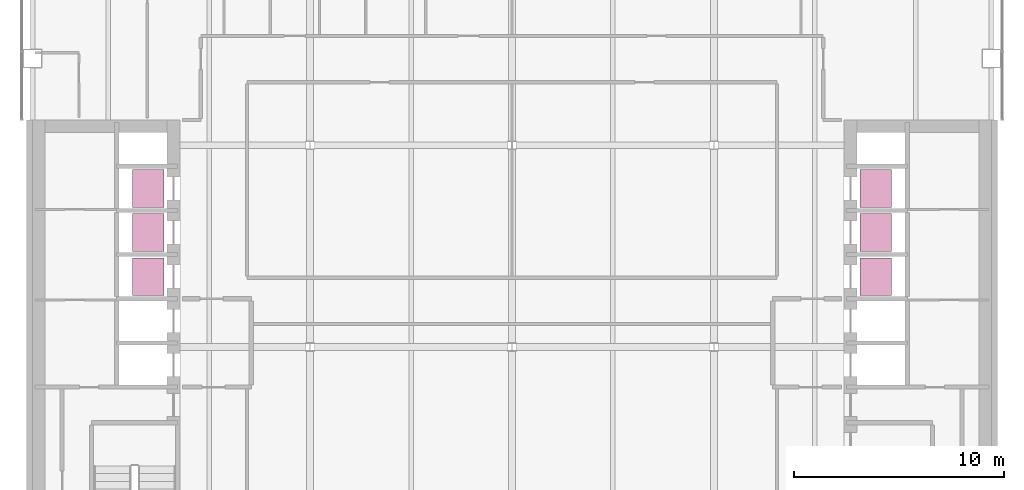
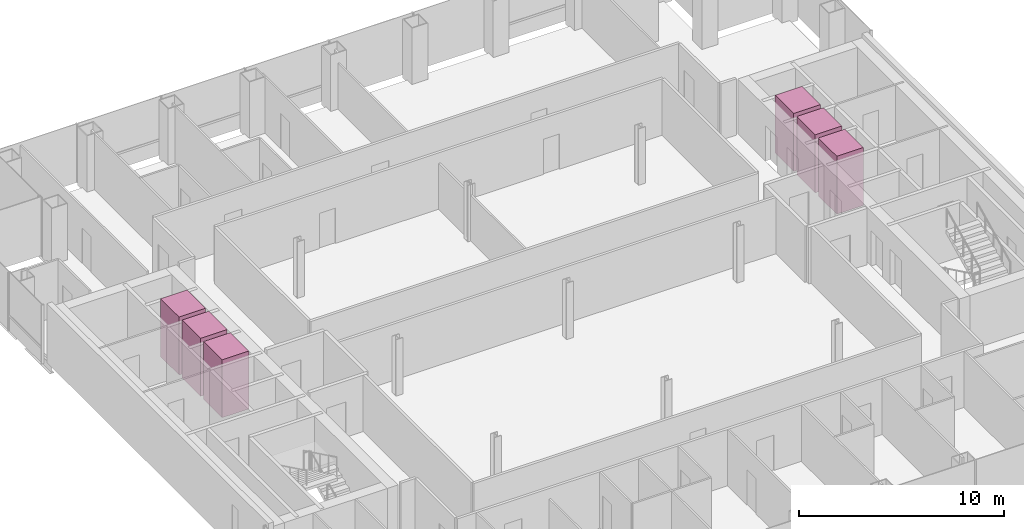
# One storey, part 15 of 15: 6 transport elements.
"""IFC4 building model written with IfcOpenShell, lengths in metres."""

from ifc_helpers import new_model, si_unit, direction, frame, origin, origin_2d, place, context, subcontext, project, spatial, rectangle, extrude, material, type_object, element, save


model = new_model("IFC4")

# Units and contexts
model_context = context("Model", 3, precision=1e-05, world=origin(), true_north=direction((0.0, 1.0)))
body_context = subcontext(model_context, "Body", "Model", "MODEL_VIEW")
ifc_project = project(units=[si_unit("LENGTHUNIT", "METRE"), si_unit("AREAUNIT", "SQUARE_METRE"), si_unit("VOLUMEUNIT", "CUBIC_METRE"), si_unit("PLANEANGLEUNIT", "RADIAN"), si_unit("MASSUNIT", "GRAM", prefix="KILO")], contexts=[model_context])

# Site, building, storey
site_placement = place(None, origin())
site = spatial("IfcSite", under=ifc_project, at=site_placement, CompositionType="ELEMENT")
building_placement = place(site_placement, origin())
building = spatial("IfcBuilding", under=site, at=building_placement, Name="Cobrizo Arcos Hotel Tower", CompositionType="ELEMENT")
storey_placement = place(building_placement, frame((0.0, 0.0, 99.5)))
storey = spatial("IfcBuildingStorey", under=building, at=storey_placement, Name="L24", CompositionType="ELEMENT", Elevation=99.5)

# Transport elements
ifc_material = material(Name="Stainless steel car", Category="steel")
transport_element_type = type_object("IfcTransportElementType", Name="Lift car Low 1.8x1.5", PredefinedType="ELEVATOR", material=ifc_material)
for number, where, z_axis, x_axis, name in (
    (1, (-17.300048828125, 3.35009765625, 0.0), (0.0, 0.0, 1.0), (1.0, 0.0, 0.0), "Low-rise passenger lift W1"),
    (2, (-17.300048828125, 5.449951171875, 0.0), (0.0, 0.0, 1.0), (1.0, 0.0, 0.0), "Low-rise passenger lift W2"),
    (3, (-17.300048828125, 7.550048828125, 0.0), (0.0, 0.0, 1.0), (1.0, 0.0, 0.0), "Low-rise passenger lift W3"),
    (4, (17.300048828125, 3.35009765625, 0.0), (0.0, 0.0, 1.0), (1.0, 0.0, 0.0), "Low-rise passenger lift E1"),
    (5, (17.300048828125, 5.449951171875, 0.0), (0.0, 0.0, 1.0), (1.0, 0.0, 0.0), "Low-rise passenger lift E2"),
    (6, (17.300048828125, 7.550048828125, 0.0), (0.0, 0.0, 1.0), (1.0, 0.0, 0.0), "Low-rise passenger lift E3"),
):
    element("IfcTransportElement", number, at=place(storey_placement, frame(where, z_axis=z_axis, x_axis=x_axis)), inside=storey, type_object=transport_element_type, Name=name, PredefinedType="ELEVATOR", context=body_context, shape_type="SweptSolid", body=[
        extrude(rectangle(XDim=1.5, YDim=1.800048828125, at=origin_2d()), origin(), (0.0, 0.0, 1.0), 3.449951171875),
    ])

save(model, "model.ifc")
